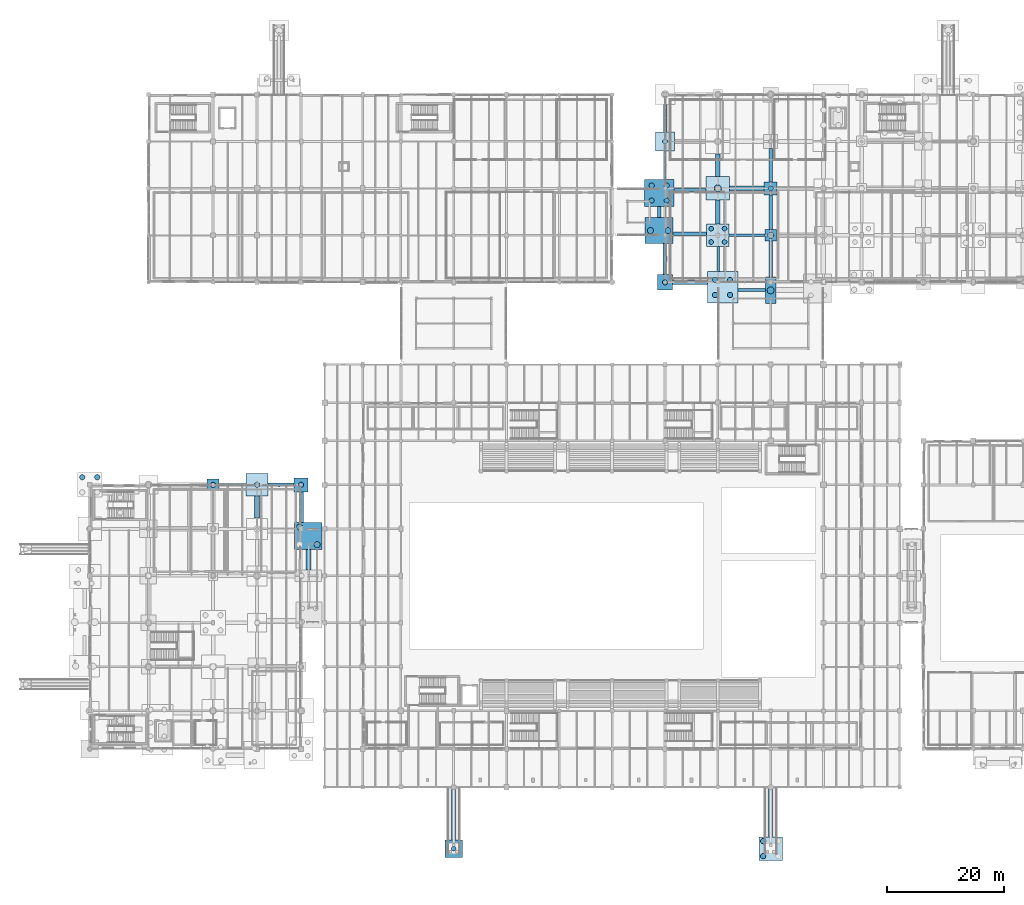
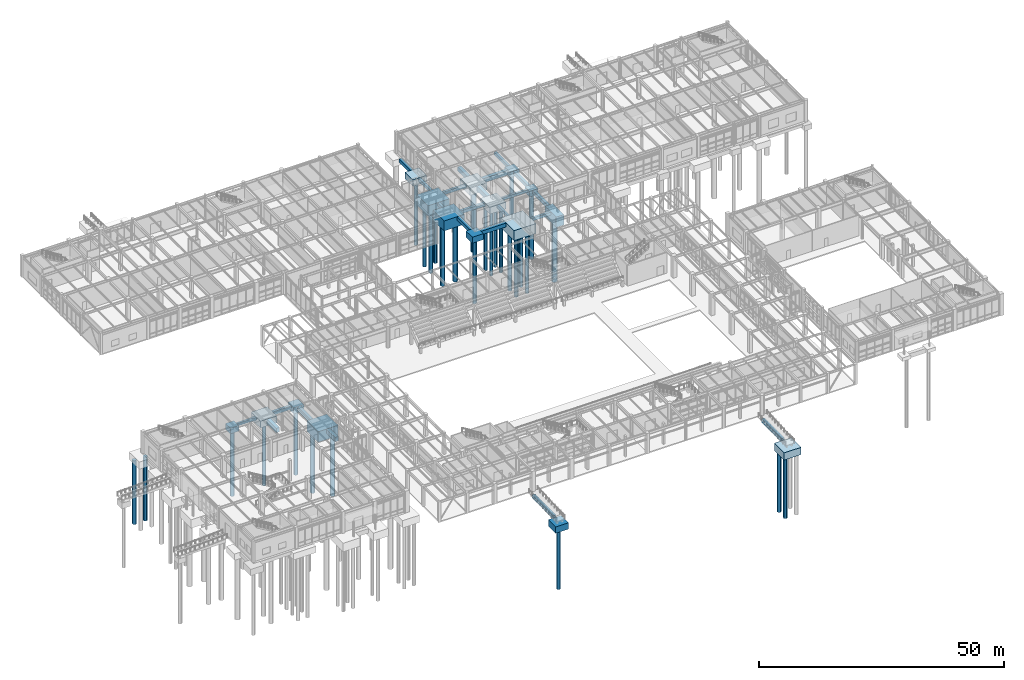
# One storey, part 3 of 203: 39 footings, 30 piles.
"""IFC4 building model written with IfcOpenShell, lengths in metres."""

from ifc_helpers import new_model, si_unit, direction, frame, origin, origin_2d, place, context, subcontext, project, spatial, polyline, circle, outline, extrude, material, material_profile, profile_set, type_object, element, save


model = new_model("IFC4")

# Units and contexts
model_context = context("Model", 3, precision=1e-05, world=origin(), true_north=direction((0.0, 1.0)))
body_context = subcontext(model_context, "Body", "Model", "MODEL_VIEW")
ifc_project = project(units=[si_unit("LENGTHUNIT", "METRE"), si_unit("AREAUNIT", "SQUARE_METRE"), si_unit("VOLUMEUNIT", "CUBIC_METRE"), si_unit("PLANEANGLEUNIT", "RADIAN"), si_unit("MASSUNIT", "GRAM", prefix="KILO"), si_unit("THERMODYNAMICTEMPERATUREUNIT", "KELVIN"), si_unit("POWERUNIT", "WATT")], contexts=[model_context])

# Site, building, storey
site_placement = place(None, origin())
site = spatial("IfcSite", under=ifc_project, at=site_placement, CompositionType="ELEMENT")
building_placement = place(site_placement, origin())
building = spatial("IfcBuilding", under=site, at=building_placement, Name="Tepalcoro Natatorium and Aquatics Centre", CompositionType="ELEMENT")
storey_placement = place(building_placement, origin())
storey = spatial("IfcBuildingStorey", under=building, at=storey_placement, Name="L00", CompositionType="ELEMENT", Elevation=0.0)

# Footings
ifc_material = material(Name="Concrete C40/50 (fc 40 MPa)", Category="concrete")
footing_type_1 = type_object("IfcFootingType", Name="FB_450x700", PredefinedType="FOOTING_BEAM", material=ifc_material)
footing_1_placement = place(storey_placement, frame((0.0, 0.0, -1.1201171875)))
element("IfcFooting", 1, at=footing_1_placement, inside=storey, type_object=footing_type_1, Name="V3 L00 Foundation Tie Beam X", PredefinedType="FOOTING_BEAM", context=body_context, shape_type="SweptSolid", body=[
    extrude(outline(polyline([(22.0048828125, 51.27490234375), (26.594970703125, 51.27490234375), (26.594970703125, 51.72509765625), (22.0048828125, 51.72509765625), (22.0048828125, 51.27490234375)])), origin(), (0.0, 0.0, 1.0), 0.7001953125),
])
footing_2_placement = place(storey_placement, frame((0.0, 0.0, -1.159912109375)))
element("IfcFooting", 2, at=footing_2_placement, inside=storey, type_object=footing_type_1, Name="V5 L00 Foundation Tie Beam X", PredefinedType="FOOTING_BEAM", context=body_context, shape_type="SweptSolid", body=[
    extrude(outline(polyline([(108.905029296875, 93.77490234375), (114.9951171875, 93.77490234375), (114.9951171875, 94.22509765625), (108.905029296875, 94.22509765625), (108.905029296875, 93.77490234375)])), origin(), (0.0, 0.0, 1.0), 0.699951171875),
])
footing_3_placement = place(storey_placement, frame((0.0, 0.0, -1.159912109375)))
element("IfcFooting", 3, at=footing_3_placement, inside=storey, type_object=footing_type_1, Name="V5 L00 Foundation Tie Beam Y", PredefinedType="FOOTING_BEAM", context=body_context, shape_type="SweptSolid", body=[
    extrude(outline(polyline([(107.27490234375, 87.804931640625), (107.27490234375, 92.094970703125), (106.824951171875, 92.094970703125), (106.824951171875, 87.804931640625), (107.27490234375, 87.804931640625)])), origin(), (0.0, 0.0, 1.0), 0.699951171875),
])
footing_type_2 = type_object("IfcFootingType", Name="FB_500x750", PredefinedType="FOOTING_BEAM", material=ifc_material)
footing_4_placement = place(storey_placement, frame((0.0, 0.0, -1.2099609375)))
element("IfcFooting", 4, at=footing_4_placement, inside=storey, type_object=footing_type_2, Name="V5 L00 Foundation Tie Beam X", PredefinedType="FOOTING_BEAM", context=body_context, shape_type="SweptSolid", body=[
    extrude(outline(polyline([(99.5048828125, 101.5), (104.9951171875, 101.5), (104.9951171875, 102.0), (99.5048828125, 102.0), (99.5048828125, 101.5)])), origin(), (0.0, 0.0, 1.0), 0.75),
])
footing_5_placement = place(storey_placement, frame((0.0, 0.0, -1.2099609375)))
element("IfcFooting", 5, at=footing_5_placement, inside=storey, type_object=footing_type_2, Name="V5 L00 Foundation Tie Beam X", PredefinedType="FOOTING_BEAM", context=body_context, shape_type="SweptSolid", body=[
    extrude(outline(polyline([(110.405029296875, 84.425048828125), (115.094970703125, 84.425048828125), (115.094970703125, 84.925048828125), (110.405029296875, 84.925048828125), (110.405029296875, 84.425048828125)])), origin(), (0.0, 0.0, 1.0), 0.75),
])
footing_6_placement = place(storey_placement, frame((0.0, 0.0, -1.2099609375)))
element("IfcFooting", 6, at=footing_6_placement, inside=storey, type_object=footing_type_2, Name="V5 L00 Foundation Tie Beam Y", PredefinedType="FOOTING_BEAM", context=body_context, shape_type="SweptSolid", body=[
    extrude(outline(polyline([(98.199951171875, 103.5048828125), (98.199951171875, 108.39501953125), (97.699951171875, 108.39501953125), (97.699951171875, 103.5048828125), (98.199951171875, 103.5048828125)])), origin(), (0.0, 0.0, 1.0), 0.75),
])
footing_type_3 = type_object("IfcFootingType", Name="FB_550x800", PredefinedType="FOOTING_BEAM", material=ifc_material)
footing_7_placement = place(storey_placement, frame((0.0, 0.0, -1.260009765625)))
element("IfcFooting", 7, at=footing_7_placement, inside=storey, type_object=footing_type_3, Name="V5 L00 Foundation Tie Beam X", PredefinedType="FOOTING_BEAM", context=body_context, shape_type="SweptSolid", body=[
    extrude(outline(polyline([(99.405029296875, 93.97509765625), (105.094970703125, 93.97509765625), (105.094970703125, 94.52490234375), (99.405029296875, 94.52490234375), (99.405029296875, 93.97509765625)])), origin(), (0.0, 0.0, 1.0), 0.800048828125),
])
footing_8_placement = place(storey_placement, frame((0.0, 0.0, -1.260009765625)))
element("IfcFooting", 8, at=footing_8_placement, inside=storey, type_object=footing_type_3, Name="V5 L00 Foundation Tie Beam Y", PredefinedType="FOOTING_BEAM", context=body_context, shape_type="SweptSolid", body=[
    extrude(outline(polyline([(97.27490234375, 97.0048828125), (97.27490234375, 98.89501953125), (96.72509765625, 98.89501953125), (96.72509765625, 97.0048828125), (97.27490234375, 97.0048828125)])), origin(), (0.0, 0.0, 1.0), 0.800048828125),
])
footing_9_placement = place(storey_placement, frame((0.0, 0.0, -1.260009765625)))
element("IfcFooting", 9, at=footing_9_placement, inside=storey, type_object=footing_type_3, Name="V5 L00 Foundation Tie Beam Y", PredefinedType="FOOTING_BEAM", context=body_context, shape_type="SweptSolid", body=[
    extrude(outline(polyline([(116.27490234375, 103.10498046875), (116.27490234375, 108.794921875), (115.72509765625, 108.794921875), (115.72509765625, 103.10498046875), (116.27490234375, 103.10498046875)])), origin(), (0.0, 0.0, 1.0), 0.800048828125),
])
footing_type_4 = type_object("IfcFootingType", Name="FB_600x850", PredefinedType="FOOTING_BEAM", material=ifc_material)
footing_10_placement = place(storey_placement, frame((0.0, 0.0, -1.27001953125)))
element("IfcFooting", 10, at=footing_10_placement, inside=storey, type_object=footing_type_4, Name="V3 L00 Foundation Tie Beam X", PredefinedType="FOOTING_BEAM", context=body_context, shape_type="SweptSolid", body=[
    extrude(outline(polyline([(30.405029296875, 51.199951171875), (34.794921875, 51.199951171875), (34.794921875, 51.800048828125), (30.405029296875, 51.800048828125), (30.405029296875, 51.199951171875)])), origin(), (0.0, 0.0, 1.0), 0.85009765625),
])
footing_11_placement = place(storey_placement, frame((0.0, 0.0, -1.31005859375)))
element("IfcFooting", 11, at=footing_11_placement, inside=storey, type_object=footing_type_4, Name="V5 L00 Foundation Tie Beam Y", PredefinedType="FOOTING_BEAM", context=body_context, shape_type="SweptSolid", body=[
    extrude(outline(polyline([(98.300048828125, 111.60498046875), (98.300048828125, 116.294921875), (97.699951171875, 116.294921875), (97.699951171875, 111.60498046875), (98.300048828125, 111.60498046875)])), origin(), (0.0, 0.0, 1.0), 0.85009765625),
])
footing_12_placement = place(storey_placement, frame((0.0, 0.0, -1.31005859375)))
element("IfcFooting", 12, at=footing_12_placement, inside=storey, type_object=footing_type_4, Name="V5 L00 Foundation Tie Beam Y", PredefinedType="FOOTING_BEAM", context=body_context, shape_type="SweptSolid", body=[
    extrude(outline(polyline([(116.300048828125, 95.0048828125), (116.300048828125, 100.89501953125), (115.699951171875, 100.89501953125), (115.699951171875, 95.0048828125), (116.300048828125, 95.0048828125)])), origin(), (0.0, 0.0, 1.0), 0.85009765625),
])
footing_type_5 = type_object("IfcFootingType", Name="FB_650x900", PredefinedType="FOOTING_BEAM", material=ifc_material)
footing_13_placement = place(storey_placement, frame((0.0, 0.0, -1.360107421875)))
element("IfcFooting", 13, at=footing_13_placement, inside=storey, type_object=footing_type_5, Name="V5 L00 Foundation Tie Beam Y", PredefinedType="FOOTING_BEAM", context=body_context, shape_type="SweptSolid", body=[
    extrude(outline(polyline([(98.324951171875, 87.304931640625), (98.324951171875, 92.594970703125), (97.675048828125, 92.594970703125), (97.675048828125, 87.304931640625), (98.324951171875, 87.304931640625)])), origin(), (0.0, 0.0, 1.0), 0.900146484375),
])
footing_14_placement = place(storey_placement, frame((0.0, 0.0, -1.360107421875)))
element("IfcFooting", 14, at=footing_14_placement, inside=storey, type_object=footing_type_5, Name="V5 L00 Foundation Tie Beam Y", PredefinedType="FOOTING_BEAM", context=body_context, shape_type="SweptSolid", body=[
    extrude(outline(polyline([(116.324951171875, 86.905029296875), (116.324951171875, 92.9951171875), (115.675048828125, 92.9951171875), (115.675048828125, 86.905029296875), (116.324951171875, 86.905029296875)])), origin(), (0.0, 0.0, 1.0), 0.900146484375),
])
footing_type_6 = type_object("IfcFootingType", Name="FB_700x950", PredefinedType="FOOTING_BEAM", material=ifc_material)
footing_15_placement = place(storey_placement, frame((0.0, 0.0, -1.409912109375)))
element("IfcFooting", 15, at=footing_15_placement, inside=storey, type_object=footing_type_6, Name="V5 L00 Foundation Tie Beam X", PredefinedType="FOOTING_BEAM", context=body_context, shape_type="SweptSolid", body=[
    extrude(outline(polyline([(99.304931640625, 85.64990234375), (105.195068359375, 85.64990234375), (105.195068359375, 86.35009765625), (99.304931640625, 86.35009765625), (99.304931640625, 85.64990234375)])), origin(), (0.0, 0.0, 1.0), 0.949951171875),
])
footing_type_7 = type_object("IfcFootingType", Name="FB_750x1000", PredefinedType="FOOTING_BEAM", material=ifc_material)
footing_16_placement = place(storey_placement, frame((0.0, 0.0, -1.419921875)))
element("IfcFooting", 16, at=footing_16_placement, inside=storey, type_object=footing_type_7, Name="V3 L00 Foundation Tie Beam Y", PredefinedType="FOOTING_BEAM", context=body_context, shape_type="SweptSolid", body=[
    extrude(outline(polyline([(36.425048828125, 45.10498046875), (36.425048828125, 50.294921875), (35.675048828125, 50.294921875), (35.675048828125, 45.10498046875), (36.425048828125, 45.10498046875)])), origin(), (0.0, 0.0, 1.0), 1.0),
])
footing_17_placement = place(storey_placement, frame((0.0, 0.0, -1.4599609375)))
element("IfcFooting", 17, at=footing_17_placement, inside=storey, type_object=footing_type_7, Name="V5 L00 Foundation Tie Beam Y", PredefinedType="FOOTING_BEAM", context=body_context, shape_type="SweptSolid", body=[
    extrude(outline(polyline([(107.375, 104.0048828125), (107.375, 107.89501953125), (106.625, 107.89501953125), (106.625, 104.0048828125), (107.375, 104.0048828125)])), origin(), (0.0, 0.0, 1.0), 1.0),
])
footing_type_8 = type_object("IfcFootingType", Name="FB_800x1100", PredefinedType="FOOTING_BEAM", material=ifc_material)
footing_18_placement = place(storey_placement, frame((0.0, 0.0, -1.52001953125)))
element("IfcFooting", 18, at=footing_18_placement, inside=storey, type_object=footing_type_8, Name="V3 L00 Foundation Tie Beam Y", PredefinedType="FOOTING_BEAM", context=body_context, shape_type="SweptSolid", body=[
    extrude(outline(polyline([(28.89990234375, 45.804931640625), (28.89990234375, 49.594970703125), (28.10009765625, 49.594970703125), (28.10009765625, 45.804931640625), (28.89990234375, 45.804931640625)])), origin(), (0.0, 0.0, 1.0), 1.10009765625),
])
footing_19_placement = place(storey_placement, frame((0.0, 0.0, -1.52001953125)))
element("IfcFooting", 19, at=footing_19_placement, inside=storey, type_object=footing_type_8, Name="V3 L00 Foundation Tie Beam Y", PredefinedType="FOOTING_BEAM", context=body_context, shape_type="SweptSolid", body=[
    extrude(outline(polyline([(37.64990234375, 37.0048828125), (37.64990234375, 40.4951171875), (36.85009765625, 40.4951171875), (36.85009765625, 37.0048828125), (37.64990234375, 37.0048828125)])), origin(), (0.0, 0.0, 1.0), 1.10009765625),
])
footing_20_placement = place(storey_placement, frame((0.0, 0.0, -1.56005859375)))
element("IfcFooting", 20, at=footing_20_placement, inside=storey, type_object=footing_type_8, Name="V5 L00 Foundation Tie Beam X", PredefinedType="FOOTING_BEAM", context=body_context, shape_type="SweptSolid", body=[
    extrude(outline(polyline([(109.0048828125, 101.60009765625), (114.89501953125, 101.60009765625), (114.89501953125, 102.39990234375), (109.0048828125, 102.39990234375), (109.0048828125, 101.60009765625)])), origin(), (0.0, 0.0, 1.0), 1.10009765625),
])
footing_21_placement = place(storey_placement, frame((0.0, 0.0, -1.56005859375)))
element("IfcFooting", 21, at=footing_21_placement, inside=storey, type_object=footing_type_8, Name="V5 L00 Foundation Tie Beam Y", PredefinedType="FOOTING_BEAM", context=body_context, shape_type="SweptSolid", body=[
    extrude(outline(polyline([(107.39990234375, 95.905029296875), (107.39990234375, 99.9951171875), (106.60009765625, 99.9951171875), (106.60009765625, 95.905029296875), (107.39990234375, 95.905029296875)])), origin(), (0.0, 0.0, 1.0), 1.10009765625),
])
footing_type_9 = type_object("IfcFootingType", Name="PC_1800x1800x1300", PredefinedType="PILE_CAP", material=ifc_material)
footing_22_placement = place(storey_placement, frame((0.0, 0.0, -3.050048828125)))
element("IfcFooting", 22, at=footing_22_placement, inside=storey, type_object=footing_type_9, Name="V5 Reinforced Concrete Pile Cap 284", PredefinedType="PILE_CAP", context=body_context, shape_type="SweptSolid", body=[
    extrude(outline(polyline([(115.10009765625, 82.35009765625), (116.89990234375, 82.35009765625), (116.89990234375, 86.89990234375), (115.10009765625, 86.89990234375), (115.10009765625, 82.35009765625)])), origin(), (0.0, 0.0, 1.0), 2.590087890625),
])
footing_type_10 = type_object("IfcFootingType", Name="PC_2000x2000x1400", PredefinedType="PILE_CAP", material=ifc_material)
footing_23_placement = place(storey_placement, frame((0.0, 0.0, -1.820068359375)))
element("IfcFooting", 23, at=footing_23_placement, inside=storey, type_object=footing_type_10, Name="V3 Reinforced Concrete Pile Cap 250", PredefinedType="PILE_CAP", context=body_context, shape_type="SweptSolid", body=[
    extrude(outline(polyline([(20.0, 50.5), (22.0, 50.5), (22.0, 52.5), (20.0, 52.5), (20.0, 50.5)])), origin(), (0.0, 0.0, 1.0), 1.400146484375),
])
footing_24_placement = place(storey_placement, frame((0.0, 0.0, -1.860107421875)))
element("IfcFooting", 24, at=footing_24_placement, inside=storey, type_object=footing_type_10, Name="V5 Reinforced Concrete Pile Cap 283", PredefinedType="PILE_CAP", context=body_context, shape_type="SweptSolid", body=[
    extrude(outline(polyline([(115.0, 93.0), (117.0, 93.0), (117.0, 95.0), (115.0, 95.0), (115.0, 93.0)])), origin(), (0.0, 0.0, 1.0), 1.400146484375),
])
footing_type_11 = type_object("IfcFootingType", Name="PC_2200x2200x1400", PredefinedType="PILE_CAP", material=ifc_material)
footing_25_placement = place(storey_placement, frame((0.0, 0.0, -3.050048828125)))
element("IfcFooting", 25, at=footing_25_placement, inside=storey, type_object=footing_type_11, Name="V3 Reinforced Concrete Pile Cap 263", PredefinedType="PILE_CAP", context=body_context, shape_type="SweptSolid", body=[
    extrude(outline(polyline([(34.89990234375, 40.5), (39.60009765625, 40.5), (39.60009765625, 45.10009765625), (34.89990234375, 45.10009765625), (34.89990234375, 40.5)])), origin(), (0.0, 0.0, 1.0), 2.630126953125),
])
footing_26_placement = place(storey_placement, frame((0.0, 0.0, -1.860107421875)))
element("IfcFooting", 26, at=footing_26_placement, inside=storey, type_object=footing_type_11, Name="V5 Reinforced Concrete Pile Cap 282", PredefinedType="PILE_CAP", context=body_context, shape_type="SweptSolid", body=[
    extrude(outline(polyline([(114.89990234375, 100.89990234375), (117.10009765625, 100.89990234375), (117.10009765625, 103.10009765625), (114.89990234375, 103.10009765625), (114.89990234375, 100.89990234375)])), origin(), (0.0, 0.0, 1.0), 1.400146484375),
])
footing_type_12 = type_object("IfcFootingType", Name="PC_2400x2400x1500", PredefinedType="PILE_CAP", material=ifc_material)
footing_27_placement = place(storey_placement, frame((0.0, 0.0, -1.919921875)))
element("IfcFooting", 27, at=footing_27_placement, inside=storey, type_object=footing_type_12, Name="V3 Reinforced Concrete Pile Cap 262", PredefinedType="PILE_CAP", context=body_context, shape_type="SweptSolid", body=[
    extrude(outline(polyline([(34.800048828125, 50.300048828125), (37.199951171875, 50.300048828125), (37.199951171875, 52.699951171875), (34.800048828125, 52.699951171875), (34.800048828125, 50.300048828125)])), origin(), (0.0, 0.0, 1.0), 1.5),
])
footing_type_13 = type_object("IfcFootingType", Name="PC_2600x2600x1500", PredefinedType="PILE_CAP", material=ifc_material)
footing_28_placement = place(storey_placement, frame((0.0, 0.0, -1.9599609375)))
element("IfcFooting", 28, at=footing_28_placement, inside=storey, type_object=footing_type_13, Name="V5 Reinforced Concrete Pile Cap 274", PredefinedType="PILE_CAP", context=body_context, shape_type="SweptSolid", body=[
    extrude(outline(polyline([(96.699951171875, 84.699951171875), (99.300048828125, 84.699951171875), (99.300048828125, 87.300048828125), (96.699951171875, 87.300048828125), (96.699951171875, 84.699951171875)])), origin(), (0.0, 0.0, 1.0), 1.5),
])
footing_type_14 = type_object("IfcFootingType", Name="PC_2800x2800x1500", PredefinedType="PILE_CAP", material=ifc_material)
footing_29_placement = place(storey_placement, frame((0.0, 0.0, -2.949951171875)))
element("IfcFooting", 29, at=footing_29_placement, inside=storey, type_object=footing_type_14, Name="V5 Reinforced Concrete Pile Cap 271", PredefinedType="PILE_CAP", context=body_context, shape_type="SweptSolid", body=[
    extrude(outline(polyline([(94.60009765625, 92.60009765625), (99.39990234375, 92.60009765625), (99.39990234375, 97.0), (94.60009765625, 97.0), (94.60009765625, 92.60009765625)])), origin(), (0.0, 0.0, 1.0), 2.489990234375),
])
footing_type_15 = type_object("IfcFootingType", Name="PC_3000x3000x1600", PredefinedType="PILE_CAP", material=ifc_material)
footing_30_placement = place(storey_placement, frame((0.0, 0.0, -2.85009765625)))
element("IfcFooting", 30, at=footing_30_placement, inside=storey, type_object=footing_type_15, Name="V1 Reinforced Concrete Pile Cap 225", PredefinedType="PILE_CAP", context=body_context, shape_type="SweptSolid", body=[
    extrude(outline(polyline([(60.5, -11.97998046875), (63.5, -11.97998046875), (63.5, -8.97998046875), (60.5, -8.97998046875), (60.5, -11.97998046875)])), origin(), (0.0, 0.0, 1.0), 1.60009765625),
])
footing_31_placement = place(storey_placement, frame((0.0, 0.0, -3.050048828125)))
element("IfcFooting", 31, at=footing_31_placement, inside=storey, type_object=footing_type_15, Name="V5 Reinforced Concrete Pile Cap 270", PredefinedType="PILE_CAP", context=body_context, shape_type="SweptSolid", body=[
    extrude(outline(polyline([(94.5, 98.89990234375), (99.5, 98.89990234375), (99.5, 103.5), (94.5, 103.5), (94.5, 98.89990234375)])), origin(), (0.0, 0.0, 1.0), 2.590087890625),
])
footing_type_16 = type_object("IfcFootingType", Name="PC_3200x3200x1600", PredefinedType="PILE_CAP", material=ifc_material)
footing_32_placement = place(storey_placement, frame((0.0, 0.0, -2.06005859375)))
element("IfcFooting", 32, at=footing_32_placement, inside=storey, type_object=footing_type_16, Name="V5 Reinforced Concrete Pile Cap 273", PredefinedType="PILE_CAP", context=body_context, shape_type="SweptSolid", body=[
    extrude(outline(polyline([(96.39990234375, 108.39990234375), (99.60009765625, 108.39990234375), (99.60009765625, 111.60009765625), (96.39990234375, 111.60009765625), (96.39990234375, 108.39990234375)])), origin(), (0.0, 0.0, 1.0), 1.60009765625),
])
footing_type_17 = type_object("IfcFootingType", Name="PC_3600x3600x1700", PredefinedType="PILE_CAP", material=ifc_material)
footing_33_placement = place(storey_placement, frame((0.0, 0.0, -2.949951171875)))
element("IfcFooting", 33, at=footing_33_placement, inside=storey, type_object=footing_type_17, Name="V5 Reinforced Concrete Pile Cap 278", PredefinedType="PILE_CAP", context=body_context, shape_type="SweptSolid", body=[
    extrude(outline(polyline([(105.199951171875, 82.449951171875), (110.39990234375, 82.449951171875), (110.39990234375, 87.800048828125), (105.199951171875, 87.800048828125), (105.199951171875, 82.449951171875)])), origin(), (0.0, 0.0, 1.0), 2.489990234375),
])
footing_type_18 = type_object("IfcFootingType", Name="PC_3800x3800x1700", PredefinedType="PILE_CAP", material=ifc_material)
footing_34_placement = place(storey_placement, frame((0.0, 0.0, -2.1201171875)))
element("IfcFooting", 34, at=footing_34_placement, inside=storey, type_object=footing_type_18, Name="V3 Reinforced Concrete Pile Cap 254", PredefinedType="PILE_CAP", context=body_context, shape_type="SweptSolid", body=[
    extrude(outline(polyline([(26.60009765625, 49.60009765625), (30.39990234375, 49.60009765625), (30.39990234375, 53.39990234375), (26.60009765625, 53.39990234375), (26.60009765625, 49.60009765625)])), origin(), (0.0, 0.0, 1.0), 1.7001953125),
])
footing_35_placement = place(storey_placement, frame((0.0, 0.0, -2.159912109375)))
element("IfcFooting", 35, at=footing_35_placement, inside=storey, type_object=footing_type_18, Name="V5 Reinforced Concrete Pile Cap 277", PredefinedType="PILE_CAP", context=body_context, shape_type="SweptSolid", body=[
    extrude(outline(polyline([(105.10009765625, 92.10009765625), (108.89990234375, 92.10009765625), (108.89990234375, 95.89990234375), (105.10009765625, 95.89990234375), (105.10009765625, 92.10009765625)])), origin(), (0.0, 0.0, 1.0), 1.699951171875),
])
footing_type_19 = type_object("IfcFootingType", Name="PC_4000x4000x1800", PredefinedType="PILE_CAP", material=ifc_material)
footing_36_placement = place(storey_placement, frame((0.0, 0.0, -3.050048828125)))
element("IfcFooting", 36, at=footing_36_placement, inside=storey, type_object=footing_type_19, Name="V1 Reinforced Concrete Pile Cap 226", PredefinedType="PILE_CAP", context=body_context, shape_type="SweptSolid", body=[
    extrude(outline(polyline([(114.0, -12.47998046875), (118.0, -12.47998046875), (118.0, -8.47998046875), (114.0, -8.47998046875), (114.0, -12.47998046875)])), origin(), (0.0, 0.0, 1.0), 1.800048828125),
])
footing_37_placement = place(storey_placement, frame((0.0, 0.0, -2.260009765625)))
element("IfcFooting", 37, at=footing_37_placement, inside=storey, type_object=footing_type_19, Name="V5 Reinforced Concrete Pile Cap 276", PredefinedType="PILE_CAP", context=body_context, shape_type="SweptSolid", body=[
    extrude(outline(polyline([(105.0, 100.0), (109.0, 100.0), (109.0, 104.0), (105.0, 104.0), (105.0, 100.0)])), origin(), (0.0, 0.0, 1.0), 1.800048828125),
])

# Piles
ifc_material_profile_1 = material_profile(ifc_material, circle(Radius=0.52490234375, at=origin_2d()), Name="PILE_D1050")
ifc_profile_set_1 = profile_set([ifc_material_profile_1], Name="Concrete C40/50 (fc 40 MPa)")
pile_type_1 = type_object("IfcPileType", Name="PILE_D1050", PredefinedType="BORED", material=ifc_profile_set_1)
for number, where, z_axis, x_axis, name in (
    (38, (35.753662109375, 44.296142578125, -2.949951171875), (0.0, 0.0, -1.0), (1.0, 0.0, 0.0), "Bored Pile PILE_D1050 under PC_V3_0262"),
    (39, (38.74609375, 41.3037109375, -2.949951171875), (0.0, 0.0, -1.0), (1.0, 0.0, 0.0), "Bored Pile PILE_D1050 under PC_V3_0262"),
):
    element("IfcPile", number, at=place(storey_placement, frame(where, z_axis=z_axis, x_axis=x_axis)), inside=storey, type_object=pile_type_1, Name=name, PredefinedType="BORED", context=body_context, shape_type="SweptSolid", body=[
        extrude(circle(Radius=0.52490234375, at=origin_2d()), origin(), (0.0, 0.0, 1.0), 15.050048828125),
    ])
for number, where, z_axis, x_axis, name in (
    (40, (95.503662109375, 94.800048828125, -2.85009765625), (0.0, 0.0, -1.0), (1.0, 0.0, 0.0), "Bored Pile PILE_D1050 under PC_V5_0270"),
    (41, (98.496337890625, 94.800048828125, -2.85009765625), (0.0, 0.0, -1.0), (1.0, 0.0, 0.0), "Bored Pile PILE_D1050 under PC_V5_0270"),
):
    element("IfcPile", number, at=place(storey_placement, frame(where, z_axis=z_axis, x_axis=x_axis)), inside=storey, type_object=pile_type_1, Name=name, PredefinedType="BORED", context=body_context, shape_type="SweptSolid", body=[
        extrude(circle(Radius=0.52490234375, at=origin_2d()), origin(), (0.0, 0.0, 1.0), 15.14990234375),
    ])
pile_1_placement = place(storey_placement, frame((116.0, 94.0, -1.760009765625), z_axis=(0.0, 0.0, -1.0), x_axis=(1.0, 0.0, 0.0)))
element("IfcPile", 42, at=pile_1_placement, inside=storey, type_object=pile_type_1, Name="Bored Pile PILE_D1050 under PC_V5_0282", PredefinedType="BORED", context=body_context, shape_type="SweptSolid", body=[
    extrude(circle(Radius=0.52490234375, at=origin_2d()), origin(), (0.0, 0.0, 1.0), 16.239990234375),
])
ifc_material_profile_2 = material_profile(ifc_material, circle(Radius=0.60009765625, at=origin_2d()), Name="PILE_D1200")
ifc_profile_set_2 = profile_set([ifc_material_profile_2], Name="Concrete C40/50 (fc 40 MPa)")
pile_type_2 = type_object("IfcPileType", Name="PILE_D1200", PredefinedType="BORED", material=ifc_profile_set_2)
pile_2_placement = place(storey_placement, frame((107.0, 102.0, -2.159912109375), z_axis=(0.0, 0.0, -1.0), x_axis=(1.0, 0.0, 0.0)))
element("IfcPile", 43, at=pile_2_placement, inside=storey, type_object=pile_type_2, Name="Bored Pile PILE_D1200 under PC_V5_0275", PredefinedType="BORED", context=body_context, shape_type="SweptSolid", body=[
    extrude(circle(Radius=0.60009765625, at=origin_2d()), origin(), (0.0, 0.0, 1.0), 15.840087890625),
])
pile_3_placement = place(storey_placement, frame((116.0, 84.625, -2.949951171875), z_axis=(0.0, 0.0, -1.0), x_axis=(1.0, 0.0, 0.0)))
element("IfcPile", 44, at=pile_3_placement, inside=storey, type_object=pile_type_2, Name="Bored Pile PILE_D1200 under PC_V5_0283", PredefinedType="BORED", context=body_context, shape_type="SweptSolid", body=[
    extrude(circle(Radius=0.60009765625, at=origin_2d()), origin(), (0.0, 0.0, 1.0), 15.050048828125),
])
ifc_material_profile_3 = material_profile(ifc_material, circle(Radius=0.39990234375, at=origin_2d()), Name="PILE_D800")
ifc_profile_set_3 = profile_set([ifc_material_profile_3], Name="Concrete C40/50 (fc 40 MPa)")
pile_type_3 = type_object("IfcPileType", Name="PILE_D800", PredefinedType="BORED", material=ifc_profile_set_3)
pile_4_placement = place(storey_placement, frame((62.0, -10.47998046875, -2.75), z_axis=(0.0, 0.0, -1.0), x_axis=(1.0, 0.0, 0.0)))
element("IfcPile", 45, at=pile_4_placement, inside=storey, type_object=pile_type_3, Name="Bored Pile PILE_D800 under PC_V1_0224", PredefinedType="BORED", context=body_context, shape_type="SweptSolid", body=[
    extrude(circle(Radius=0.39990234375, at=origin_2d()), origin(), (0.0, 0.0, 1.0), 15.25),
])
pile_5_placement = place(storey_placement, frame((98.0, 110.0, -1.9599609375), z_axis=(0.0, 0.0, -1.0), x_axis=(1.0, 0.0, 0.0)))
element("IfcPile", 46, at=pile_5_placement, inside=storey, type_object=pile_type_3, Name="Bored Pile PILE_D800 under PC_V5_0272", PredefinedType="BORED", context=body_context, shape_type="SweptSolid", body=[
    extrude(circle(Radius=0.39990234375, at=origin_2d()), origin(), (0.0, 0.0, 1.0), 16.0400390625),
])
for number, where, z_axis, x_axis, name in (
    (47, (105.860107421875, 92.860107421875, -2.06005859375), (0.0, 0.0, -1.0), (1.0, 0.0, 0.0), "Bored Pile PILE_D800 under PC_V5_0276"),
    (48, (105.860107421875, 95.139892578125, -2.06005859375), (0.0, 0.0, -1.0), (1.0, 0.0, 0.0), "Bored Pile PILE_D800 under PC_V5_0276"),
    (49, (108.139892578125, 92.860107421875, -2.06005859375), (0.0, 0.0, -1.0), (1.0, 0.0, 0.0), "Bored Pile PILE_D800 under PC_V5_0276"),
    (50, (108.139892578125, 95.139892578125, -2.06005859375), (0.0, 0.0, -1.0), (1.0, 0.0, 0.0), "Bored Pile PILE_D800 under PC_V5_0276"),
):
    element("IfcPile", number, at=place(storey_placement, frame(where, z_axis=z_axis, x_axis=x_axis)), inside=storey, type_object=pile_type_3, Name=name, PredefinedType="BORED", context=body_context, shape_type="SweptSolid", body=[
        extrude(circle(Radius=0.39990234375, at=origin_2d()), origin(), (0.0, 0.0, 1.0), 15.93994140625),
    ])
ifc_material_profile_4 = material_profile(ifc_material, circle(Radius=0.449951171875, at=origin_2d()), Name="PILE_D900")
ifc_profile_set_4 = profile_set([ifc_material_profile_4], Name="Concrete C40/50 (fc 40 MPa)")
pile_type_4 = type_object("IfcPileType", Name="PILE_D900", PredefinedType="BORED", material=ifc_profile_set_4)
for number, where, z_axis, x_axis, name in (
    (51, (114.717529296875, -11.762451171875, -2.949951171875), (0.0, 0.0, -1.0), (1.0, 0.0, 0.0), "Bored Pile PILE_D900 under PC_V1_0225"),
    (52, (114.717529296875, -9.197509765625, -2.949951171875), (0.0, 0.0, -1.0), (1.0, 0.0, 0.0), "Bored Pile PILE_D900 under PC_V1_0225"),
):
    element("IfcPile", number, at=place(storey_placement, frame(where, z_axis=z_axis, x_axis=x_axis)), inside=storey, type_object=pile_type_4, Name=name, PredefinedType="BORED", context=body_context, shape_type="SweptSolid", body=[
        extrude(circle(Radius=0.449951171875, at=origin_2d()), origin(), (0.0, 0.0, 1.0), 15.050048828125),
    ])
for number, where, z_axis, x_axis, name in (
    (53, (-1.282470703125, 52.782470703125, -2.1201171875), (0.0, 0.0, -1.0), (1.0, 0.0, 0.0), "Bored Pile PILE_D900 under PC_V3_0233"),
    (54, (1.282470703125, 52.782470703125, -2.1201171875), (0.0, 0.0, -1.0), (1.0, 0.0, 0.0), "Bored Pile PILE_D900 under PC_V3_0233"),
):
    element("IfcPile", number, at=place(storey_placement, frame(where, z_axis=z_axis, x_axis=x_axis)), inside=storey, type_object=pile_type_4, Name=name, PredefinedType="BORED", context=body_context, shape_type="SweptSolid", body=[
        extrude(circle(Radius=0.449951171875, at=origin_2d()), origin(), (0.0, 0.0, 1.0), 15.8798828125),
    ])
pile_6_placement = place(storey_placement, frame((21.0, 51.5, -1.719970703125), z_axis=(0.0, 0.0, -1.0), x_axis=(1.0, 0.0, 0.0)))
element("IfcPile", 55, at=pile_6_placement, inside=storey, type_object=pile_type_4, Name="Bored Pile PILE_D900 under PC_V3_0249", PredefinedType="BORED", context=body_context, shape_type="SweptSolid", body=[
    extrude(circle(Radius=0.449951171875, at=origin_2d()), origin(), (0.0, 0.0, 1.0), 16.280029296875),
])
pile_7_placement = place(storey_placement, frame((28.5, 51.5, -2.02001953125), z_axis=(0.0, 0.0, -1.0), x_axis=(1.0, 0.0, 0.0)))
element("IfcPile", 56, at=pile_7_placement, inside=storey, type_object=pile_type_4, Name="Bored Pile PILE_D900 under PC_V3_0253", PredefinedType="BORED", context=body_context, shape_type="SweptSolid", body=[
    extrude(circle(Radius=0.449951171875, at=origin_2d()), origin(), (0.0, 0.0, 1.0), 15.97998046875),
])
pile_8_placement = place(storey_placement, frame((36.0, 51.5, -1.820068359375), z_axis=(0.0, 0.0, -1.0), x_axis=(1.0, 0.0, 0.0)))
element("IfcPile", 57, at=pile_8_placement, inside=storey, type_object=pile_type_4, Name="Bored Pile PILE_D900 under PC_V3_0261", PredefinedType="BORED", context=body_context, shape_type="SweptSolid", body=[
    extrude(circle(Radius=0.449951171875, at=origin_2d()), origin(), (0.0, 0.0, 1.0), 16.179931640625),
])
for number, where, z_axis, x_axis, name in (
    (58, (95.717529296875, 99.91748046875, -2.949951171875), (0.0, 0.0, -1.0), (1.0, 0.0, 0.0), "Bored Pile PILE_D900 under PC_V5_0269"),
    (59, (95.717529296875, 102.482421875, -2.949951171875), (0.0, 0.0, -1.0), (1.0, 0.0, 0.0), "Bored Pile PILE_D900 under PC_V5_0269"),
    (60, (98.282470703125, 99.91748046875, -2.949951171875), (0.0, 0.0, -1.0), (1.0, 0.0, 0.0), "Bored Pile PILE_D900 under PC_V5_0269"),
    (61, (98.282470703125, 102.482421875, -2.949951171875), (0.0, 0.0, -1.0), (1.0, 0.0, 0.0), "Bored Pile PILE_D900 under PC_V5_0269"),
):
    element("IfcPile", number, at=place(storey_placement, frame(where, z_axis=z_axis, x_axis=x_axis)), inside=storey, type_object=pile_type_4, Name=name, PredefinedType="BORED", context=body_context, shape_type="SweptSolid", body=[
        extrude(circle(Radius=0.449951171875, at=origin_2d()), origin(), (0.0, 0.0, 1.0), 15.050048828125),
    ])
pile_9_placement = place(storey_placement, frame((98.0, 86.0, -1.860107421875), z_axis=(0.0, 0.0, -1.0), x_axis=(1.0, 0.0, 0.0)))
element("IfcPile", 62, at=pile_9_placement, inside=storey, type_object=pile_type_4, Name="Bored Pile PILE_D900 under PC_V5_0273", PredefinedType="BORED", context=body_context, shape_type="SweptSolid", body=[
    extrude(circle(Radius=0.449951171875, at=origin_2d()), origin(), (0.0, 0.0, 1.0), 16.139892578125),
])
for number, where, z_axis, x_axis, name in (
    (63, (106.517578125, 83.842529296875, -2.85009765625), (0.0, 0.0, -1.0), (1.0, 0.0, 0.0), "Bored Pile PILE_D900 under PC_V5_0277"),
    (64, (106.517578125, 86.407470703125, -2.85009765625), (0.0, 0.0, -1.0), (1.0, 0.0, 0.0), "Bored Pile PILE_D900 under PC_V5_0277"),
    (65, (109.08251953125, 83.842529296875, -2.85009765625), (0.0, 0.0, -1.0), (1.0, 0.0, 0.0), "Bored Pile PILE_D900 under PC_V5_0277"),
    (66, (109.08251953125, 86.407470703125, -2.85009765625), (0.0, 0.0, -1.0), (1.0, 0.0, 0.0), "Bored Pile PILE_D900 under PC_V5_0277"),
):
    element("IfcPile", number, at=place(storey_placement, frame(where, z_axis=z_axis, x_axis=x_axis)), inside=storey, type_object=pile_type_4, Name=name, PredefinedType="BORED", context=body_context, shape_type="SweptSolid", body=[
        extrude(circle(Radius=0.449951171875, at=origin_2d()), origin(), (0.0, 0.0, 1.0), 15.14990234375),
    ])
pile_10_placement = place(storey_placement, frame((116.0, 102.0, -1.760009765625), z_axis=(0.0, 0.0, -1.0), x_axis=(1.0, 0.0, 0.0)))
element("IfcPile", 67, at=pile_10_placement, inside=storey, type_object=pile_type_4, Name="Bored Pile PILE_D900 under PC_V5_0281", PredefinedType="BORED", context=body_context, shape_type="SweptSolid", body=[
    extrude(circle(Radius=0.449951171875, at=origin_2d()), origin(), (0.0, 0.0, 1.0), 16.239990234375),
])

# Footings
footing_type_20 = type_object("IfcFootingType", Name="SF_700x800", PredefinedType="STRIP_FOOTING", material=ifc_material)
footing_38_placement = place(storey_placement, frame((0.0, 0.0, -1.5)))
element("IfcFooting", 68, at=footing_38_placement, inside=storey, type_object=footing_type_20, Name="RMP03 Ramp Foundation Strip Footing", PredefinedType="STRIP_FOOTING", context=body_context, shape_type="SweptSolid", body=[
    extrude(outline(polyline([(61.64990234375, -0.31005859375), (62.35009765625, -0.31005859375), (62.35009765625, -8.965087890625), (61.64990234375, -8.965087890625), (61.64990234375, -0.31005859375)])), origin(), (0.0, 0.0, 1.0), 0.800048828125),
])
footing_39_placement = place(storey_placement, frame((0.0, 0.0, -1.5)))
element("IfcFooting", 69, at=footing_39_placement, inside=storey, type_object=footing_type_20, Name="RMP04 Ramp Foundation Strip Footing", PredefinedType="STRIP_FOOTING", context=body_context, shape_type="SweptSolid", body=[
    extrude(outline(polyline([(115.64990234375, -0.31005859375), (116.35009765625, -0.31005859375), (116.35009765625, -8.465087890625), (115.64990234375, -8.465087890625), (115.64990234375, -0.31005859375)])), origin(), (0.0, 0.0, 1.0), 0.800048828125),
])

save(model, "model.ifc")
